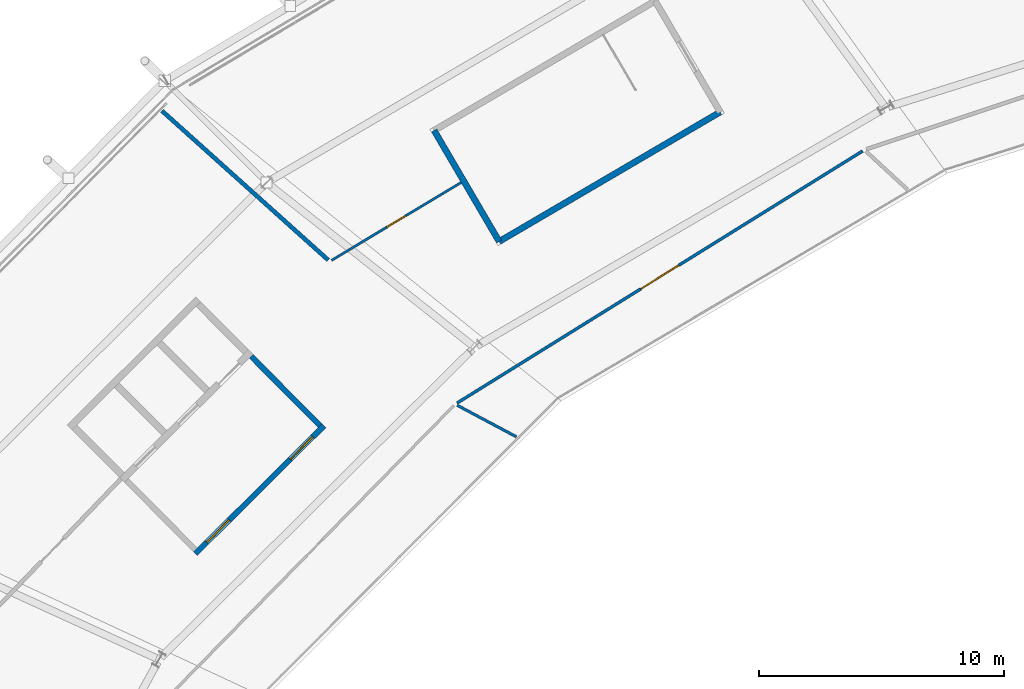
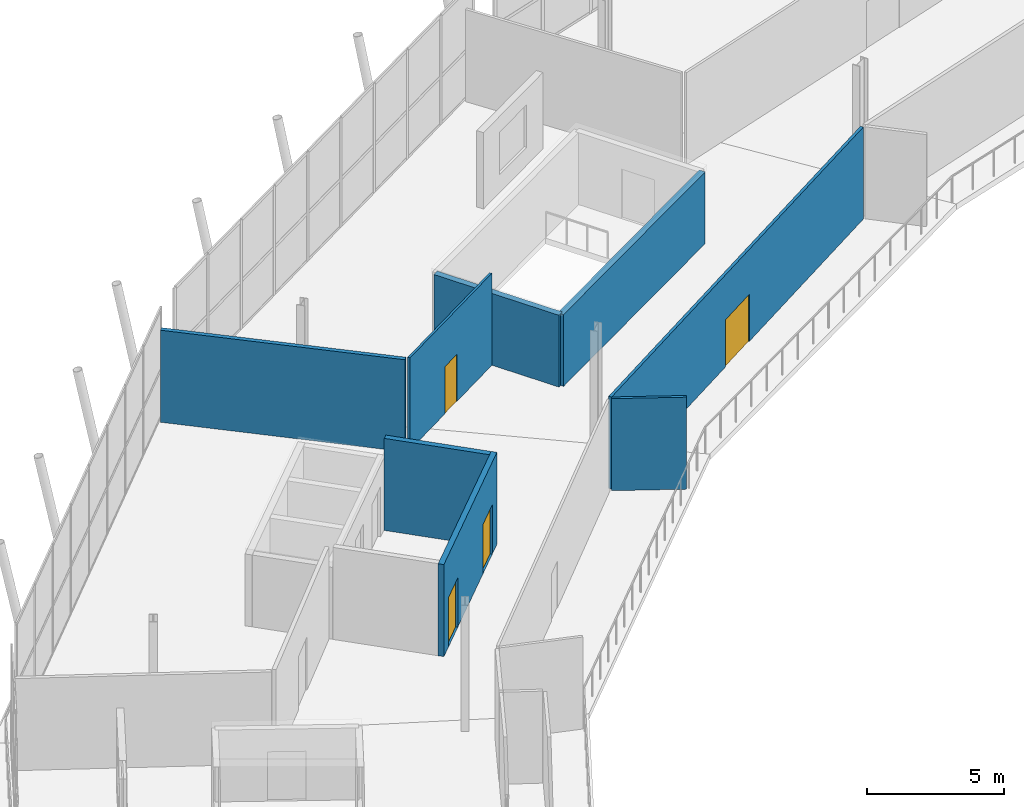
# One storey, part 86 of 99: 8 walls, 4 doors, 4 openings.
"""IFC4 building model written with IfcOpenShell, lengths in metres."""

from ifc_helpers import new_model, si_unit, direction, frame, frame_2d, origin, place, context, subcontext, project, spatial, rectangle, extrude, material, layer, layer_set, type_object, element, fill, save


model = new_model("IFC4")

# Units and contexts
model_context = context("Model", 3, precision=1e-05, world=origin(), true_north=direction((0.0, 1.0)))
body_context = subcontext(model_context, "Body", "Model", "MODEL_VIEW")
ifc_project = project(units=[si_unit("LENGTHUNIT", "METRE"), si_unit("AREAUNIT", "SQUARE_METRE"), si_unit("VOLUMEUNIT", "CUBIC_METRE"), si_unit("PLANEANGLEUNIT", "RADIAN"), si_unit("MASSUNIT", "GRAM", prefix="KILO")], contexts=[model_context])

# Site, building, storey
site_placement = place(None, origin())
site = spatial("IfcSite", under=ifc_project, at=site_placement, CompositionType="ELEMENT")
building_placement = place(site_placement, origin())
building = spatial("IfcBuilding", under=site, at=building_placement, Name="Zlatoyarsky Gate Stadium", CompositionType="ELEMENT")
storey_placement = place(building_placement, frame((0.0, 0.0, 26.199951171875)))
storey = spatial("IfcBuildingStorey", under=building, at=storey_placement, Name="L05", CompositionType="ELEMENT", Elevation=26.199951171875)

# Walls
ifc_material_1 = material(Name="Double-stud acoustic gypsum partition", Category="gypsum")
ifc_layer_1 = layer(ifc_material_1, 0.169921875)
ifc_layer_set_1 = layer_set([ifc_layer_1], Name="Double-stud acoustic gypsum partition")
wall_type_1 = type_object("IfcWallType", Name="ACOUSTIC BROADCAST STUDIO WALL 170", PredefinedType="PARTITIONING", material=ifc_layer_set_1)
wall_1_placement = place(storey_placement, frame((47.754638671875, 127.046142578125, 0.0), z_axis=(0.0, 0.0, 1.0), x_axis=(-0.744162036293, 0.667999149506, 0.0)))
element("IfcWall", 1, at=wall_1_placement, inside=storey, type_object=wall_type_1, Name="L05 interior partition PRT-L05-ORD-08R", PredefinedType="PARTITIONING", context=body_context, shape_type="SweptSolid", body=[
    extrude(rectangle(XDim=9.11328125, YDim=0.169921875, at=frame_2d((4.556640625, 0.0))), origin(), (0.0, 0.0, 1.0), 4.10009765625),
])
ifc_material_2 = material(Name="Concrete C40/50", Category="concrete")
ifc_layer_2 = layer(ifc_material_2, 0.25)
ifc_layer_set_2 = layer_set([ifc_layer_2], Name="Concrete C40/50")
wall_type_2 = type_object("IfcWallType", Name="CONCRETE STAIR CORE SHEAR WALL 250", PredefinedType="SHEAR", material=ifc_layer_set_2)
wall_2_placement = place(storey_placement, frame((52.076171875, 132.331787109375, 0.0), z_axis=(0.0, 0.0, 1.0), x_axis=(0.505474830399, -0.862841350327, 0.0)))
element("IfcWall", 2, at=wall_2_placement, inside=storey, type_object=wall_type_2, Name="ST-05 L05 stair core far shear wall", PredefinedType="SHEAR", context=body_context, shape_type="SweptSolid", body=[
    extrude(rectangle(XDim=5.250244140625, YDim=0.25, at=frame_2d((2.625, 0.0))), origin(), (0.0, 0.0, 1.0), 3.199951171875),
])
wall_3_placement = place(storey_placement, frame((54.72998046875, 127.8017578125, 0.0), z_axis=(0.0, 0.0, 1.0), x_axis=(0.862838527648, 0.505479648657, 0.0)))
element("IfcWall", 3, at=wall_3_placement, inside=storey, type_object=wall_type_2, Name="ST-05 L05 stair core right shear wall", PredefinedType="SHEAR", context=body_context, shape_type="SweptSolid", body=[
    extrude(rectangle(XDim=10.449951171875, YDim=0.25, at=frame_2d((5.22509765625, 0.0))), origin(), (0.0, 0.0, 1.0), 3.199951171875),
])
ifc_material_3 = material(Name="Autoclaved aerated concrete masonry EI 120", Category="masonry")
ifc_layer_3 = layer(ifc_material_3, 0.219970703125)
ifc_layer_set_3 = layer_set([ifc_layer_3], Name="Autoclaved aerated concrete masonry EI 120")
wall_type_3 = type_object("IfcWallType", Name="FIREFIGHTING LOBBY RATED WALL 220", PredefinedType="PARTITIONING", material=ifc_layer_set_3)
wall_4_placement = place(storey_placement, frame((44.621337890625, 123.1083984375, 0.0), z_axis=(0.0, 0.0, 1.0), x_axis=(0.705294916294, -0.708914015273, 0.0)))
element("IfcWall", 4, at=wall_4_placement, inside=storey, type_object=wall_type_3, Name="C2 L05 firefighting lobby left wall", PredefinedType="PARTITIONING", context=body_context, shape_type="SweptSolid", body=[
    extrude(rectangle(XDim=3.97998046875, YDim=0.219970703125, at=frame_2d((1.989990234375, 0.0))), origin(), (0.0, 0.0, 1.0), 4.10009765625),
])

# Wall, openings, doors
wall_5_placement = place(storey_placement, frame((47.583984375, 120.286376953125, 0.0), z_axis=(0.0, 0.0, 1.0), x_axis=(-0.708902567846, -0.705306422274, 0.0)))
wall_5 = element("IfcWall", 5, at=wall_5_placement, inside=storey, type_object=wall_type_3, Name="C2 L05 firefighting lobby front wall", PredefinedType="PARTITIONING", context=body_context, shape_type="SweptSolid", body=[
    extrude(rectangle(XDim=7.39990234375, YDim=0.219970703125, at=frame_2d((3.699951171875, 0.0))), origin(), (0.0, 0.0, 1.0), 4.10009765625),
])
opening_1_placement = place(wall_5_placement, frame((0.64990234375, 0.0, 0.0)))
opening_1 = element("IfcOpeningElement", 6, at=opening_1_placement, cuts=wall_5, Name="Opening FD-C2-L05-A", PredefinedType="OPENING", context=body_context, shape_type="SweptSolid", body=[
    extrude(rectangle(XDim=1.300048828125, YDim=2.199951171875, at=frame_2d((0.64990234375, 1.10009765625))), frame((0.0, 0.119873046875, 0.0), z_axis=(0.0, -1.0, 0.0), x_axis=(1.0, 0.0, 0.0)), (0.0, 0.0, 1.0), 0.239990234375),
])
opening_2_placement = place(wall_5_placement, frame((5.449951171875, 0.0, 0.0)))
opening_2 = element("IfcOpeningElement", 7, at=opening_2_placement, cuts=wall_5, Name="Opening FD-C2-L05-B", PredefinedType="OPENING", context=body_context, shape_type="SweptSolid", body=[
    extrude(rectangle(XDim=1.300048828125, YDim=2.199951171875, at=frame_2d((0.64990234375, 1.10009765625))), frame((0.0, 0.119873046875, 0.0), z_axis=(0.0, -1.0, 0.0), x_axis=(1.0, 0.0, 0.0)), (0.0, 0.0, 1.0), 0.239990234375),
])
ifc_material_4 = material(Name="Powder-coated steel fire door", Category="steel")
door_type_1 = type_object("IfcDoorType", Name="FIREFIGHTING LOBBY FIRE DOOR 1300X2200", OperationType="NOTDEFINED", PredefinedType="DOOR", material=ifc_material_4)
door_1_placement = place(opening_1_placement, origin())
door_1 = element("IfcDoor", 8, at=door_1_placement, inside=storey, type_object=door_type_1, Name="C2 L05 firefighting lobby fire door FD-C2-L05-A", OperationType="SINGLE_SWING_LEFT", OverallHeight=2.199951171875, OverallWidth=1.300048828125, PredefinedType="DOOR", context=body_context, shape_type="SweptSolid", body=[
    extrude(rectangle(XDim=1.300048828125, YDim=2.199951171875, at=frame_2d((0.64990234375, 1.10009765625))), frame((0.0, 0.02490234375, 0.0), z_axis=(0.0, -1.0, 0.0), x_axis=(1.0, 0.0, 0.0)), (0.0, 0.0, 1.0), 0.050048828125),
])
fill(opening_1, door_1)
door_2_placement = place(opening_2_placement, origin())
door_2 = element("IfcDoor", 9, at=door_2_placement, inside=storey, type_object=door_type_1, Name="C2 L05 firefighting lobby fire door FD-C2-L05-B", OperationType="SINGLE_SWING_RIGHT", OverallHeight=2.199951171875, OverallWidth=1.300048828125, PredefinedType="DOOR", context=body_context, shape_type="SweptSolid", body=[
    extrude(rectangle(XDim=1.300048828125, YDim=2.199951171875, at=frame_2d((0.64990234375, 1.10009765625))), frame((0.0, 0.02490234375, 0.0), z_axis=(0.0, -1.0, 0.0), x_axis=(1.0, 0.0, 0.0)), (0.0, 0.0, 1.0), 0.050048828125),
])
fill(opening_2, door_2)

# Wall, opening, door
ifc_material_5 = material(Name="Timber-veneered acoustic operable partition", Category="wood")
ifc_layer_4 = layer(ifc_material_5, 0.094970703125)
ifc_layer_set_4 = layer_set([ifc_layer_4], Name="Timber-veneered acoustic operable partition")
wall_type_4 = type_object("IfcWallType", Name="FOLDING BANQUET SALON WALL 95", PredefinedType="MOVABLE", material=ifc_layer_set_4)
wall_6_placement = place(storey_placement, frame((53.171875, 130.204345703125, 0.0), z_axis=(0.0, 0.0, 1.0), x_axis=(-0.857311024585, -0.514798802567, 0.0)))
wall_6 = element("IfcWall", 10, at=wall_6_placement, inside=storey, type_object=wall_type_4, Name="L05 interior partition PRT-L05-OCC-08-1", PredefinedType="MOVABLE", context=body_context, shape_type="SweptSolid", body=[
    extrude(rectangle(XDim=6.159912109375, YDim=0.094970703125, at=frame_2d((3.080078125, 0.0))), origin(), (0.0, 0.0, 1.0), 4.10009765625),
])
opening_3_placement = place(wall_6_placement, frame((2.6298828125, 0.0, 0.0)))
opening_3 = element("IfcOpeningElement", 11, at=opening_3_placement, cuts=wall_6, Name="Opening D-L05-679", PredefinedType="OPENING", context=body_context, shape_type="SweptSolid", body=[
    extrude(rectangle(XDim=0.89990234375, YDim=2.10009765625, at=frame_2d((0.449951171875, 1.050048828125))), frame((0.0, 0.057373046875, 0.0), z_axis=(0.0, -1.0, 0.0), x_axis=(1.0, 0.0, 0.0)), (0.0, 0.0, 1.0), 0.114990234375),
])
ifc_material_6 = material(Name="Solid-core oak veneer acoustic door", Category="wood")
door_type_2 = type_object("IfcDoorType", Name="ACOUSTIC INTERIOR DOOR 900X2100", OperationType="NOTDEFINED", PredefinedType="DOOR", material=ifc_material_6)
door_3_placement = place(opening_3_placement, origin())
door_3 = element("IfcDoor", 12, at=door_3_placement, inside=storey, type_object=door_type_2, Name="L05 room door D-L05-679", OperationType="SINGLE_SWING_LEFT", OverallHeight=2.10009765625, OverallWidth=0.89990234375, PredefinedType="DOOR", context=body_context, shape_type="SweptSolid", body=[
    extrude(rectangle(XDim=0.89990234375, YDim=2.10009765625, at=frame_2d((0.449951171875, 1.050048828125))), frame((0.0, 0.02490234375, 0.0), z_axis=(0.0, -1.0, 0.0), x_axis=(1.0, 0.0, 0.0)), (0.0, 0.0, 1.0), 0.050048828125),
])
fill(opening_3, door_3)

# Wall
ifc_material_7 = material(Name="Metal-stud gypsum partition", Category="gypsum")
ifc_layer_5 = layer(ifc_material_7, 0.110107421875)
ifc_layer_set_5 = layer_set([ifc_layer_5], Name="Metal-stud gypsum partition")
wall_type_5 = type_object("IfcWallType", Name="KIOSK SERVICE PARTITION 110", PredefinedType="PARTITIONING", material=ifc_layer_set_5)
wall_7_placement = place(storey_placement, frame((55.43310546875, 119.834228515625, 0.0), z_axis=(0.0, 0.0, 1.0), x_axis=(-0.882670541792, 0.469992249567, 0.0)))
element("IfcWall", 13, at=wall_7_placement, inside=storey, type_object=wall_type_5, Name="L05 interior partition PRT-L05-IRD-09", PredefinedType="PARTITIONING", context=body_context, shape_type="SweptSolid", body=[
    extrude(rectangle(XDim=2.7431640625, YDim=0.110107421875, at=frame_2d((1.37158203125, 0.0))), origin(), (0.0, 0.0, 1.0), 4.10009765625),
])

# Wall, opening, door
ifc_layer_6 = layer(ifc_material_7, 0.1201171875)
ifc_layer_set_6 = layer_set([ifc_layer_6], Name="Metal-stud gypsum partition")
wall_type_6 = type_object("IfcWallType", Name="OFFICE AND PRESS PARTITION 120", PredefinedType="PARTITIONING", material=ifc_layer_set_6)
wall_8_placement = place(storey_placement, frame((69.558349609375, 131.494873046875, 0.0), z_axis=(0.0, 0.0, 1.0), x_axis=(-0.849309161724, -0.527895773625, 0.0)))
wall_8 = element("IfcWall", 14, at=wall_8_placement, inside=storey, type_object=wall_type_6, Name="L05 interior partition PRT-L05-ICC-08", PredefinedType="PARTITIONING", context=body_context, shape_type="SweptSolid", body=[
    extrude(rectangle(XDim=19.485595703125, YDim=0.1201171875, at=frame_2d((9.74267578125, 0.0))), origin(), (0.0, 0.0, 1.0), 4.10009765625),
])
opening_4_placement = place(wall_8_placement, frame((8.8330078125, 0.0, 0.0)))
opening_4 = element("IfcOpeningElement", 15, at=opening_4_placement, cuts=wall_8, Name="Opening D-L05-625", PredefinedType="OPENING", context=body_context, shape_type="SweptSolid", body=[
    extrude(rectangle(XDim=1.820068359375, YDim=2.10009765625, at=frame_2d((0.91015625, 1.050048828125))), frame((0.0, 0.070068359375, 0.0), z_axis=(0.0, -1.0, 0.0), x_axis=(1.0, 0.0, 0.0)), (0.0, 0.0, 1.0), 0.14013671875),
])
door_type_3 = type_object("IfcDoorType", Name="ACOUSTIC INTERIOR DOOR 1820X2100", OperationType="NOTDEFINED", PredefinedType="DOOR", material=ifc_material_6)
door_4_placement = place(opening_4_placement, origin())
door_4 = element("IfcDoor", 16, at=door_4_placement, inside=storey, type_object=door_type_3, Name="L05 room door D-L05-625", OperationType="SINGLE_SWING_LEFT", OverallHeight=2.10009765625, OverallWidth=1.820068359375, PredefinedType="DOOR", context=body_context, shape_type="SweptSolid", body=[
    extrude(rectangle(XDim=1.820068359375, YDim=2.10009765625, at=frame_2d((0.91015625, 1.050048828125))), frame((0.0, 0.02490234375, 0.0), z_axis=(0.0, -1.0, 0.0), x_axis=(1.0, 0.0, 0.0)), (0.0, 0.0, 1.0), 0.050048828125),
])
fill(opening_4, door_4)

save(model, "model.ifc")
